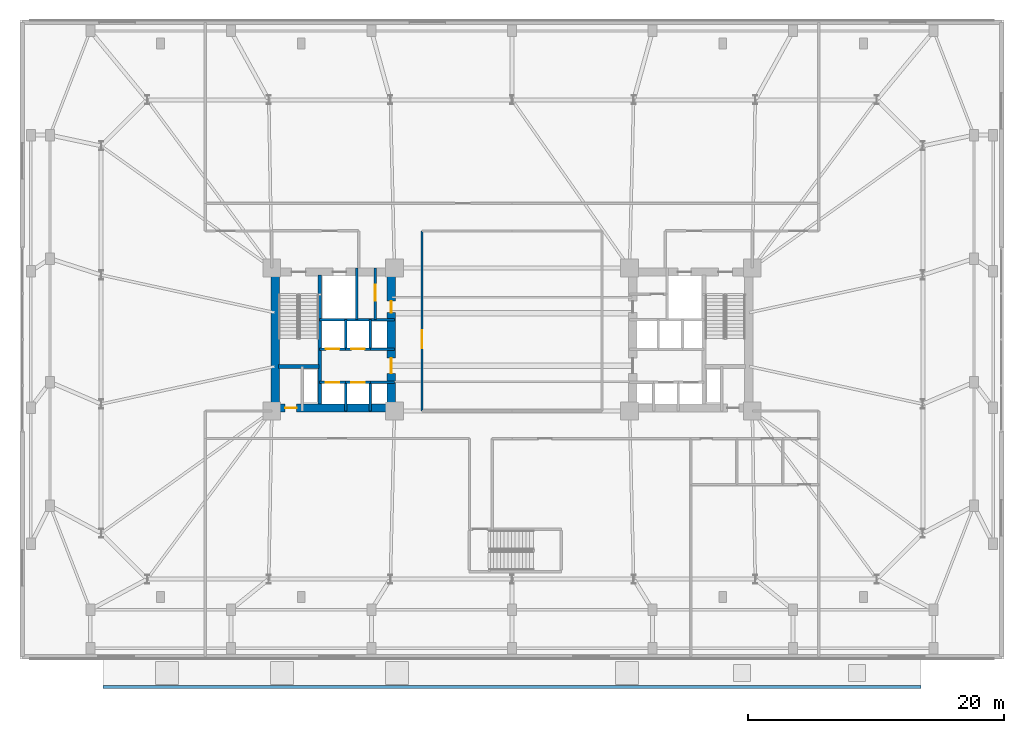
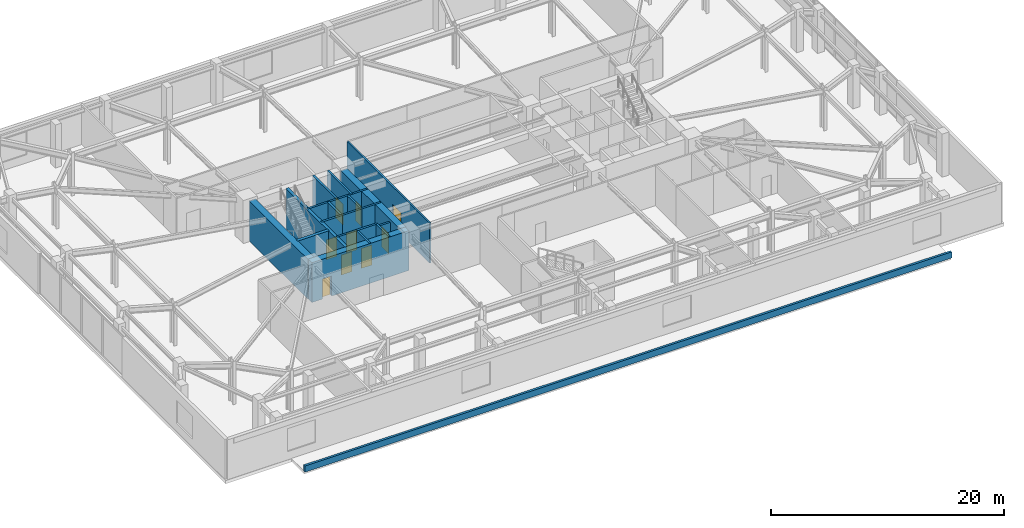
# One storey, part 14 of 21: 20 walls, 9 doors, 9 openings.
"""IFC4 building model written with IfcOpenShell, lengths in metres."""

from ifc_helpers import new_model, si_unit, direction, frame, frame_2d, origin, place, context, subcontext, project, spatial, rectangle, extrude, material, layer, layer_set, type_object, element, fill, save


model = new_model("IFC4")

# Units and contexts
model_context = context("Model", 3, precision=1e-05, world=origin(), true_north=direction((0.0, 1.0)))
body_context = subcontext(model_context, "Body", "Model", "MODEL_VIEW")
ifc_project = project(units=[si_unit("LENGTHUNIT", "METRE"), si_unit("AREAUNIT", "SQUARE_METRE"), si_unit("VOLUMEUNIT", "CUBIC_METRE"), si_unit("PLANEANGLEUNIT", "RADIAN"), si_unit("MASSUNIT", "GRAM", prefix="KILO")], contexts=[model_context])

# Site, building, storey
site_placement = place(None, origin())
site = spatial("IfcSite", under=ifc_project, at=site_placement, CompositionType="ELEMENT")
building_placement = place(site_placement, origin())
building = spatial("IfcBuilding", under=site, at=building_placement, Name="Qobustan Lattice House", CompositionType="ELEMENT")
storey_placement = place(building_placement, frame((0.0, 0.0, 4.5)))
storey = spatial("IfcBuildingStorey", under=building, at=storey_placement, Name="L01", CompositionType="ELEMENT", Elevation=4.5)

# Wall, opening, door
ifc_material_1 = material(Name="Concrete C60/75", Category="concrete")
ifc_layer_1 = layer(ifc_material_1, 0.639892578125)
ifc_layer_set_1 = layer_set([ifc_layer_1], Name="Concrete C60/75")
wall_type_1 = type_object("IfcWallType", Name="WAL-CORE-640", PredefinedType="SHEAR", material=ifc_layer_set_1)
wall_1_placement = place(storey_placement, frame((-18.800048828125, -5.35009765625, 0.0), z_axis=(0.0, 0.0, 1.0), x_axis=(1.0, 0.0, 0.0)))
wall_1 = element("IfcWall", 1, at=wall_1_placement, inside=storey, type_object=wall_type_1, Name="L01 split-core shear wall CW-S", PredefinedType="SHEAR", context=body_context, shape_type="SweptSolid", body=[
    extrude(rectangle(XDim=9.60009765625, YDim=0.639892578125, at=frame_2d((4.800048828125, 0.0))), origin(), (0.0, 0.0, 1.0), 4.169921875),
])
opening_1_placement = place(wall_1_placement, frame((1.050048828125, 0.0, 0.0)))
opening_1 = element("IfcOpeningElement", 2, at=opening_1_placement, cuts=wall_1, Name="Opening RD-01", PredefinedType="OPENING", context=body_context, shape_type="SweptSolid", body=[
    extrude(rectangle(XDim=0.89990234375, YDim=2.10009765625, at=frame_2d((0.449951171875, 1.050048828125))), frame((0.0, 0.329833984375, 0.0), z_axis=(0.0, -1.0, 0.0), x_axis=(1.0, 0.0, 0.0)), (0.0, 0.0, 1.0), 0.659912109375),
])
ifc_material_2 = material(Name="Persian walnut timber and steel frame door", Category="steel")
door_type_1 = type_object("IfcDoorType", Name="DOR-RISER-FD-900x2100", OperationType="NOTDEFINED", PredefinedType="DOOR", material=ifc_material_2)
door_1_placement = place(opening_1_placement, origin())
door_1 = element("IfcDoor", 3, at=door_1_placement, inside=storey, type_object=door_type_1, Name="L01 core service riser access door W", OperationType="SINGLE_SWING_LEFT", OverallHeight=2.10009765625, OverallWidth=0.89990234375, PredefinedType="DOOR", context=body_context, shape_type="SweptSolid", body=[
    extrude(rectangle(XDim=0.89990234375, YDim=2.10009765625, at=frame_2d((0.449951171875, 1.050048828125))), frame((0.0, 0.02490234375, 0.0), z_axis=(0.0, -1.0, 0.0), x_axis=(1.0, 0.0, 0.0)), (0.0, 0.0, 1.0), 0.050048828125),
])
fill(opening_1, door_1)

# Wall
wall_2_placement = place(storey_placement, frame((-18.530029296875, -5.050048828125, 0.0), z_axis=(0.0, 0.0, 1.0), x_axis=(0.0, 1.0, 0.0)))
element("IfcWall", 4, at=wall_2_placement, inside=storey, type_object=wall_type_1, Name="L01 split-core shear wall CW-W", PredefinedType="SHEAR", context=body_context, shape_type="SweptSolid", body=[
    extrude(rectangle(XDim=10.10009765625, YDim=0.639892578125, at=frame_2d((5.050048828125, 0.0))), origin(), (0.0, 0.0, 1.0), 4.169921875),
])

# Wall, openings, doors
wall_3_placement = place(storey_placement, frame((-9.449951171875, -5.050048828125, 0.0), z_axis=(0.0, 0.0, 1.0), x_axis=(0.0, 1.0, 0.0)))
wall_3 = element("IfcWall", 5, at=wall_3_placement, inside=storey, type_object=wall_type_1, Name="L01 split-core shear wall CW-E", PredefinedType="SHEAR", context=body_context, shape_type="SweptSolid", body=[
    extrude(rectangle(XDim=10.10009765625, YDim=0.639892578125, at=frame_2d((5.050048828125, 0.0))), origin(), (0.0, 0.0, 1.0), 4.169921875),
])
opening_2_placement = place(wall_3_placement, frame((7.14990234375, 0.0, 0.0)))
opening_2 = element("IfcOpeningElement", 6, at=opening_2_placement, cuts=wall_3, Name="Opening RD-01", PredefinedType="OPENING", context=body_context, shape_type="SweptSolid", body=[
    extrude(rectangle(XDim=0.89990234375, YDim=2.10009765625, at=frame_2d((0.449951171875, 1.050048828125))), frame((0.0, 0.329833984375, 0.0), z_axis=(0.0, -1.0, 0.0), x_axis=(1.0, 0.0, 0.0)), (0.0, 0.0, 1.0), 0.659912109375),
])
opening_3_placement = place(wall_3_placement, frame((2.39990234375, 0.0, 0.0)))
opening_3 = element("IfcOpeningElement", 7, at=opening_3_placement, cuts=wall_3, Name="Opening FD-01", PredefinedType="OPENING", context=body_context, shape_type="SweptSolid", body=[
    extrude(rectangle(XDim=1.199951171875, YDim=2.14990234375, at=frame_2d((0.60009765625, 1.074951171875))), frame((0.0, 0.329833984375, 0.0), z_axis=(0.0, -1.0, 0.0), x_axis=(1.0, 0.0, 0.0)), (0.0, 0.0, 1.0), 0.659912109375),
])
ifc_material_3 = material(Name="Persian walnut timber and steel frame door", Category="steel")
door_type_2 = type_object("IfcDoorType", Name="DOR-LOBBY-FD-1200x2150", OperationType="NOTDEFINED", PredefinedType="DOOR", material=ifc_material_3)
door_2_placement = place(opening_3_placement, origin())
door_2 = element("IfcDoor", 8, at=door_2_placement, inside=storey, type_object=door_type_2, Name="L01 West passenger lift lobby fire door", OperationType="SINGLE_SWING_LEFT", OverallHeight=2.14990234375, OverallWidth=1.199951171875, PredefinedType="DOOR", context=body_context, shape_type="SweptSolid", body=[
    extrude(rectangle(XDim=1.199951171875, YDim=2.14990234375, at=frame_2d((0.60009765625, 1.074951171875))), frame((0.0, 0.02490234375, 0.0), z_axis=(0.0, -1.0, 0.0), x_axis=(1.0, 0.0, 0.0)), (0.0, 0.0, 1.0), 0.050048828125),
])
fill(opening_3, door_2)
door_3_placement = place(opening_2_placement, origin())
door_3 = element("IfcDoor", 9, at=door_3_placement, inside=storey, type_object=door_type_1, Name="L01 Data comms closet fire door", OperationType="SINGLE_SWING_RIGHT", OverallHeight=2.10009765625, OverallWidth=0.89990234375, PredefinedType="DOOR", context=body_context, shape_type="SweptSolid", body=[
    extrude(rectangle(XDim=0.89990234375, YDim=2.10009765625, at=frame_2d((0.449951171875, 1.050048828125))), frame((0.0, 0.02490234375, 0.0), z_axis=(0.0, -1.0, 0.0), x_axis=(1.0, 0.0, 0.0)), (0.0, 0.0, 1.0), 0.050048828125),
])
fill(opening_2, door_3)

# Walls
ifc_material_4 = material(Name="Concrete C50/60", Category="concrete")
ifc_layer_2 = layer(ifc_material_4, 0.280029296875)
ifc_layer_set_2 = layer_set([ifc_layer_2], Name="Concrete C50/60")
wall_type_2 = type_object("IfcWallType", Name="WAL-CORE-SPINE-280", PredefinedType="SHEAR", material=ifc_layer_set_2)
wall_4_placement = place(storey_placement, frame((-15.050048828125, -5.050048828125, 0.0), z_axis=(0.0, 0.0, 1.0), x_axis=(0.0, 1.0, 0.0)))
element("IfcWall", 10, at=wall_4_placement, inside=storey, type_object=wall_type_2, Name="L01 split-core shear wall CW-M", PredefinedType="SHEAR", context=body_context, shape_type="SweptSolid", body=[
    extrude(rectangle(XDim=10.10009765625, YDim=0.300048828125, at=frame_2d((5.050048828125, 0.0))), origin(), (0.0, 0.0, 1.0), 4.169921875),
])
wall_5_placement = place(storey_placement, frame((-18.280029296875, -2.110107421875, 0.0), z_axis=(0.0, 0.0, 1.0), x_axis=(1.0, 0.0, 0.0)))
element("IfcWall", 11, at=wall_5_placement, inside=storey, type_object=wall_type_2, Name="L01 split-core shear wall CW-ST", PredefinedType="SHEAR", context=body_context, shape_type="SweptSolid", body=[
    extrude(rectangle(XDim=3.179931640625, YDim=0.300048828125, at=frame_2d((1.58984375, 0.0))), origin(), (0.0, 0.0, 1.0), 4.169921875),
])

# Wall, opening, door
ifc_material_5 = material(Name="Gypsum fireboard acoustic partition", Category="gypsum")
ifc_layer_3 = layer(ifc_material_5, 0.179931640625)
ifc_layer_set_3 = layer_set([ifc_layer_3], Name="Gypsum fireboard acoustic partition")
wall_type_3 = type_object("IfcWallType", Name="WAL-FIRE-180", PredefinedType="PARTITIONING", material=ifc_layer_set_3)
wall_6_placement = place(storey_placement, frame((-10.699951171875, 5.60009765625, 0.0), z_axis=(0.0, 0.0, 1.0), x_axis=(0.0, -1.0, 0.0)))
wall_6 = element("IfcWall", 12, at=wall_6_placement, inside=storey, type_object=wall_type_3, Name="L01 interior partition 6", PredefinedType="PARTITIONING", context=body_context, shape_type="SweptSolid", body=[
    extrude(rectangle(XDim=4.050048828125, YDim=0.179931640625, at=frame_2d((2.02490234375, 0.0))), origin(), (0.0, 0.0, 1.0), 4.169921875),
])
opening_4_placement = place(wall_6_placement, frame((1.324951171875, 0.0, 0.0)))
opening_4 = element("IfcOpeningElement", 13, at=opening_4_placement, cuts=wall_6, Name="Opening FD-03", PredefinedType="OPENING", context=body_context, shape_type="SweptSolid", body=[
    extrude(rectangle(XDim=1.25, YDim=2.199951171875, at=frame_2d((0.625, 1.10009765625))), frame((0.0, 0.099853515625, 0.0), z_axis=(0.0, -1.0, 0.0), x_axis=(1.0, 0.0, 0.0)), (0.0, 0.0, 1.0), 0.199951171875),
])
ifc_material_6 = material(Name="Persian walnut timber and steel frame door", Category="steel")
door_type_3 = type_object("IfcDoorType", Name="DOR-PLANT-1250x2200", OperationType="NOTDEFINED", PredefinedType="DOOR", material=ifc_material_6)
door_4_placement = place(opening_4_placement, origin())
door_4 = element("IfcDoor", 14, at=door_4_placement, inside=storey, type_object=door_type_3, Name="L01 Data comms closet to Linen store door", OperationType="SINGLE_SWING_LEFT", OverallHeight=2.199951171875, OverallWidth=1.25, PredefinedType="DOOR", context=body_context, shape_type="SweptSolid", body=[
    extrude(rectangle(XDim=1.25, YDim=2.199951171875, at=frame_2d((0.625, 1.10009765625))), frame((0.0, 0.02490234375, 0.0), z_axis=(0.0, -1.0, 0.0), x_axis=(1.0, 0.0, 0.0)), (0.0, 0.0, 1.0), 0.050048828125),
])
fill(opening_4, door_4)

# Wall
ifc_material_7 = material(Name="Precast concrete C40/50", Category="concrete")
ifc_layer_4 = layer(ifc_material_7, 0.219970703125)
ifc_layer_set_4 = layer_set([ifc_layer_4], Name="Precast concrete C40/50")
wall_type_4 = type_object("IfcWallType", Name="WAL-PARAPET-220", PredefinedType="PARAPET", material=ifc_layer_set_4)
wall_7_placement = place(storey_placement, frame((-32.0, -27.199951171875, 0.0), z_axis=(0.0, 0.0, 1.0), x_axis=(1.0, 0.0, 0.0)))
element("IfcWall", 15, at=wall_7_placement, inside=storey, type_object=wall_type_4, Name="L01 maintenance roof parapet 1", PredefinedType="PARAPET", context=body_context, shape_type="SweptSolid", body=[
    extrude(rectangle(XDim=64.0, YDim=0.219970703125, at=frame_2d((32.0, 0.0))), origin(), (0.0, 0.0, 1.0), 0.64990234375),
])

# Wall, opening, door
ifc_material_8 = material(Name="High-mass acoustic twin-stud partition", Category="gypsum")
ifc_layer_5 = layer(ifc_material_8, 0.1650390625)
ifc_layer_set_5 = layer_set([ifc_layer_5], Name="High-mass acoustic twin-stud partition")
wall_type_5 = type_object("IfcWallType", Name="WAL-PART-165", PredefinedType="PARTITIONING", material=ifc_layer_set_5)
wall_8_placement = place(storey_placement, frame((-7.050048828125, 8.5, 0.0), z_axis=(0.0, 0.0, 1.0), x_axis=(0.0, -1.0, 0.0)))
wall_8 = element("IfcWall", 16, at=wall_8_placement, inside=storey, type_object=wall_type_5, Name="L01 interior partition 58", PredefinedType="PARTITIONING", context=body_context, shape_type="SweptSolid", body=[
    extrude(rectangle(XDim=14.10009765625, YDim=0.1650390625, at=frame_2d((7.050048828125, 0.0))), origin(), (0.0, 0.0, 1.0), 4.169921875),
])
opening_5_placement = place(wall_8_placement, frame((7.79248046875, 0.0, 0.0)))
opening_5 = element("IfcOpeningElement", 17, at=opening_5_placement, cuts=wall_8, Name="Opening ID-04", PredefinedType="OPENING", context=body_context, shape_type="SweptSolid", body=[
    extrude(rectangle(XDim=1.39990234375, YDim=2.300048828125, at=frame_2d((0.699951171875, 1.14990234375))), frame((0.0, 0.092529296875, 0.0), z_axis=(0.0, -1.0, 0.0), x_axis=(1.0, 0.0, 0.0)), (0.0, 0.0, 1.0), 0.18505859375),
])
ifc_material_9 = material(Name="Persian walnut timber and steel frame door", Category="steel")
door_type_4 = type_object("IfcDoorType", Name="DOR-POD-1400x2300", OperationType="NOTDEFINED", PredefinedType="DOOR", material=ifc_material_9)
door_5_placement = place(opening_5_placement, origin())
door_5 = element("IfcDoor", 18, at=door_5_placement, inside=storey, type_object=door_type_4, Name="L01 West podium link corridor to Academic advising lounge door", OperationType="SINGLE_SWING_RIGHT", OverallHeight=2.300048828125, OverallWidth=1.39990234375, PredefinedType="DOOR", context=body_context, shape_type="SweptSolid", body=[
    extrude(rectangle(XDim=1.39990234375, YDim=2.300048828125, at=frame_2d((0.699951171875, 1.14990234375))), frame((0.0, 0.02490234375, 0.0), z_axis=(0.0, -1.0, 0.0), x_axis=(1.0, 0.0, 0.0)), (0.0, 0.0, 1.0), 0.050048828125),
])
fill(opening_5, door_5)

# Wall
ifc_material_10 = material(Name="Concrete C40/50", Category="concrete")
ifc_layer_6 = layer(ifc_material_10, 0.199951171875)
ifc_layer_set_6 = layer_set([ifc_layer_6], Name="Concrete C40/50")
wall_type_6 = type_object("IfcWallType", Name="WAL-SHAFT-200", PredefinedType="PARTITIONING", material=ifc_layer_set_6)
wall_9_placement = place(storey_placement, frame((-12.14990234375, 1.550048828125, 0.0), z_axis=(0.0, 0.0, 1.0), x_axis=(0.0, 1.0, 0.0)))
element("IfcWall", 19, at=wall_9_placement, inside=storey, type_object=wall_type_6, Name="L01 interior partition 2", PredefinedType="PARTITIONING", context=body_context, shape_type="SweptSolid", body=[
    extrude(rectangle(XDim=4.050048828125, YDim=0.199951171875, at=frame_2d((2.02490234375, 0.0))), origin(), (0.0, 0.0, 1.0), 4.169921875),
])

# Wall, opening, door
wall_10_placement = place(storey_placement, frame((-15.050048828125, -3.35009765625, 0.0), z_axis=(0.0, 0.0, 1.0), x_axis=(1.0, 0.0, 0.0)))
wall_10 = element("IfcWall", 20, at=wall_10_placement, inside=storey, type_object=wall_type_6, Name="L01 interior partition 8", PredefinedType="PARTITIONING", context=body_context, shape_type="SweptSolid", body=[
    extrude(rectangle(XDim=2.030029296875, YDim=0.199951171875, at=frame_2d((1.01513671875, 0.0))), origin(), (0.0, 0.0, 1.0), 4.169921875),
])
opening_6_placement = place(wall_10_placement, frame((0.489990234375, 0.0, 0.0)))
opening_6 = element("IfcOpeningElement", 21, at=opening_6_placement, cuts=wall_10, Name="Opening LD-01", PredefinedType="OPENING", context=body_context, shape_type="SweptSolid", body=[
    extrude(rectangle(XDim=1.050048828125, YDim=2.10009765625, at=frame_2d((0.52490234375, 1.050048828125))), frame((0.0, 0.10986328125, 0.0), z_axis=(0.0, -1.0, 0.0), x_axis=(1.0, 0.0, 0.0)), (0.0, 0.0, 1.0), 0.219970703125),
])
ifc_material_11 = material(Name="Persian walnut timber and steel frame door", Category="steel")
door_type_5 = type_object("IfcDoorType", Name="DOR-LIFT-LD-1050x2100", OperationType="NOTDEFINED", PredefinedType="DOOR", material=ifc_material_11)
door_6_placement = place(opening_6_placement, origin())
door_6 = element("IfcDoor", 22, at=door_6_placement, inside=storey, type_object=door_type_5, Name="L01 lift landing door", OperationType="DOUBLE_DOOR_SLIDING", OverallHeight=2.10009765625, OverallWidth=1.050048828125, PredefinedType="DOOR", context=body_context, shape_type="SweptSolid", body=[
    extrude(rectangle(XDim=1.050048828125, YDim=2.10009765625, at=frame_2d((0.52490234375, 1.050048828125))), frame((0.0, 0.02490234375, 0.0), z_axis=(0.0, -1.0, 0.0), x_axis=(1.0, 0.0, 0.0)), (0.0, 0.0, 1.0), 0.050048828125),
])
fill(opening_6, door_6)

wall_11_placement = place(storey_placement, frame((-13.02001953125, -3.35009765625, 0.0), z_axis=(0.0, 0.0, 1.0), x_axis=(1.0, 0.0, 0.0)))
wall_11 = element("IfcWall", 23, at=wall_11_placement, inside=storey, type_object=wall_type_6, Name="L01 interior partition 9", PredefinedType="PARTITIONING", context=body_context, shape_type="SweptSolid", body=[
    extrude(rectangle(XDim=1.93994140625, YDim=0.199951171875, at=frame_2d((0.969970703125, 0.0))), origin(), (0.0, 0.0, 1.0), 4.169921875),
])
opening_7_placement = place(wall_11_placement, frame((0.445068359375, 0.0, 0.0)))
opening_7 = element("IfcOpeningElement", 24, at=opening_7_placement, cuts=wall_11, Name="Opening LD-01", PredefinedType="OPENING", context=body_context, shape_type="SweptSolid", body=[
    extrude(rectangle(XDim=1.050048828125, YDim=2.10009765625, at=frame_2d((0.52490234375, 1.050048828125))), frame((0.0, 0.10986328125, 0.0), z_axis=(0.0, -1.0, 0.0), x_axis=(1.0, 0.0, 0.0)), (0.0, 0.0, 1.0), 0.219970703125),
])
door_7_placement = place(opening_7_placement, origin())
door_7 = element("IfcDoor", 25, at=door_7_placement, inside=storey, type_object=door_type_5, Name="L01 lift landing door", OperationType="DOUBLE_DOOR_SLIDING", OverallHeight=2.10009765625, OverallWidth=1.050048828125, PredefinedType="DOOR", context=body_context, shape_type="SweptSolid", body=[
    extrude(rectangle(XDim=1.050048828125, YDim=2.10009765625, at=frame_2d((0.52490234375, 1.050048828125))), frame((0.0, 0.02490234375, 0.0), z_axis=(0.0, -1.0, 0.0), x_axis=(1.0, 0.0, 0.0)), (0.0, 0.0, 1.0), 0.050048828125),
])
fill(opening_7, door_7)

# Wall
wall_12_placement = place(storey_placement, frame((-11.080078125, -3.35009765625, 0.0), z_axis=(0.0, 0.0, 1.0), x_axis=(1.0, 0.0, 0.0)))
element("IfcWall", 26, at=wall_12_placement, inside=storey, type_object=wall_type_6, Name="L01 interior partition 10", PredefinedType="PARTITIONING", context=body_context, shape_type="SweptSolid", body=[
    extrude(rectangle(XDim=1.880126953125, YDim=0.199951171875, at=frame_2d((0.93994140625, 0.0))), origin(), (0.0, 0.0, 1.0), 3.885009765625),
])

# Wall, opening, door
wall_13_placement = place(storey_placement, frame((-13.02001953125, -0.75, 0.0), z_axis=(0.0, 0.0, 1.0), x_axis=(-1.0, 0.0, 0.0)))
wall_13 = element("IfcWall", 27, at=wall_13_placement, inside=storey, type_object=wall_type_6, Name="L01 interior partition 11", PredefinedType="PARTITIONING", context=body_context, shape_type="SweptSolid", body=[
    extrude(rectangle(XDim=2.030029296875, YDim=0.199951171875, at=frame_2d((1.01513671875, 0.0))), origin(), (0.0, 0.0, 1.0), 4.169921875),
])
opening_8_placement = place(wall_13_placement, frame((0.489990234375, 0.0, 0.0)))
opening_8 = element("IfcOpeningElement", 28, at=opening_8_placement, cuts=wall_13, Name="Opening LD-01", PredefinedType="OPENING", context=body_context, shape_type="SweptSolid", body=[
    extrude(rectangle(XDim=1.050048828125, YDim=2.10009765625, at=frame_2d((0.52490234375, 1.050048828125))), frame((0.0, 0.10986328125, 0.0), z_axis=(0.0, -1.0, 0.0), x_axis=(1.0, 0.0, 0.0)), (0.0, 0.0, 1.0), 0.219970703125),
])
door_8_placement = place(opening_8_placement, origin())
door_8 = element("IfcDoor", 29, at=door_8_placement, inside=storey, type_object=door_type_5, Name="L01 lift landing door", OperationType="DOUBLE_DOOR_SLIDING", OverallHeight=2.10009765625, OverallWidth=1.050048828125, PredefinedType="DOOR", context=body_context, shape_type="SweptSolid", body=[
    extrude(rectangle(XDim=1.050048828125, YDim=2.10009765625, at=frame_2d((0.52490234375, 1.050048828125))), frame((0.0, 0.02490234375, 0.0), z_axis=(0.0, -1.0, 0.0), x_axis=(1.0, 0.0, 0.0)), (0.0, 0.0, 1.0), 0.050048828125),
])
fill(opening_8, door_8)

wall_14_placement = place(storey_placement, frame((-11.080078125, -0.75, 0.0), z_axis=(0.0, 0.0, 1.0), x_axis=(-1.0, 0.0, 0.0)))
wall_14 = element("IfcWall", 30, at=wall_14_placement, inside=storey, type_object=wall_type_6, Name="L01 interior partition 12", PredefinedType="PARTITIONING", context=body_context, shape_type="SweptSolid", body=[
    extrude(rectangle(XDim=1.93994140625, YDim=0.199951171875, at=frame_2d((0.969970703125, 0.0))), origin(), (0.0, 0.0, 1.0), 4.169921875),
])
opening_9_placement = place(wall_14_placement, frame((0.445068359375, 0.0, 0.0)))
opening_9 = element("IfcOpeningElement", 31, at=opening_9_placement, cuts=wall_14, Name="Opening LD-01", PredefinedType="OPENING", context=body_context, shape_type="SweptSolid", body=[
    extrude(rectangle(XDim=1.050048828125, YDim=2.10009765625, at=frame_2d((0.52490234375, 1.050048828125))), frame((0.0, 0.10986328125, 0.0), z_axis=(0.0, -1.0, 0.0), x_axis=(1.0, 0.0, 0.0)), (0.0, 0.0, 1.0), 0.219970703125),
])
door_9_placement = place(opening_9_placement, origin())
door_9 = element("IfcDoor", 32, at=door_9_placement, inside=storey, type_object=door_type_5, Name="L01 lift landing door", OperationType="DOUBLE_DOOR_SLIDING", OverallHeight=2.10009765625, OverallWidth=1.050048828125, PredefinedType="DOOR", context=body_context, shape_type="SweptSolid", body=[
    extrude(rectangle(XDim=1.050048828125, YDim=2.10009765625, at=frame_2d((0.52490234375, 1.050048828125))), frame((0.0, 0.02490234375, 0.0), z_axis=(0.0, -1.0, 0.0), x_axis=(1.0, 0.0, 0.0)), (0.0, 0.0, 1.0), 0.050048828125),
])
fill(opening_9, door_9)

# Walls
wall_15_placement = place(storey_placement, frame((-9.199951171875, -0.75, 0.0), z_axis=(0.0, 0.0, 1.0), x_axis=(-1.0, 0.0, 0.0)))
element("IfcWall", 33, at=wall_15_placement, inside=storey, type_object=wall_type_6, Name="L01 interior partition 13", PredefinedType="PARTITIONING", context=body_context, shape_type="SweptSolid", body=[
    extrude(rectangle(XDim=1.880126953125, YDim=0.199951171875, at=frame_2d((0.93994140625, 0.0))), origin(), (0.0, 0.0, 1.0), 4.169921875),
])
for number, where, z_axis, x_axis, name in (
    (34, (-13.02001953125, -5.60009765625, 0.0), (0.0, 0.0, 1.0), (0.0, 1.0, 0.0), "L01 interior partition 15"),
    (35, (-11.080078125, -5.60009765625, 0.0), (0.0, 0.0, 1.0), (0.0, 1.0, 0.0), "L01 interior partition 16"),
):
    element("IfcWall", number, at=place(storey_placement, frame(where, z_axis=z_axis, x_axis=x_axis)), inside=storey, type_object=wall_type_6, Name=name, PredefinedType="PARTITIONING", context=body_context, shape_type="SweptSolid", body=[
        extrude(rectangle(XDim=2.25, YDim=0.199951171875, at=frame_2d((1.125, 0.0))), origin(), (0.0, 0.0, 1.0), 4.169921875),
    ])
for number, where, z_axis, x_axis, name in (
    (36, (-13.02001953125, -0.75, 0.0), (0.0, 0.0, 1.0), (0.0, 1.0, 0.0), "L01 interior partition 17"),
    (37, (-11.080078125, -0.75, 0.0), (0.0, 0.0, 1.0), (0.0, 1.0, 0.0), "L01 interior partition 18"),
):
    element("IfcWall", number, at=place(storey_placement, frame(where, z_axis=z_axis, x_axis=x_axis)), inside=storey, type_object=wall_type_6, Name=name, PredefinedType="PARTITIONING", context=body_context, shape_type="SweptSolid", body=[
        extrude(rectangle(XDim=2.300048828125, YDim=0.199951171875, at=frame_2d((1.14990234375, 0.0))), origin(), (0.0, 0.0, 1.0), 4.169921875),
    ])
wall_16_placement = place(storey_placement, frame((-15.050048828125, 1.550048828125, 0.0), z_axis=(0.0, 0.0, 1.0), x_axis=(1.0, 0.0, 0.0)))
element("IfcWall", 38, at=wall_16_placement, inside=storey, type_object=wall_type_6, Name="L01 interior partition 74", PredefinedType="PARTITIONING", context=body_context, shape_type="SweptSolid", body=[
    extrude(rectangle(XDim=5.85009765625, YDim=0.199951171875, at=frame_2d((2.925048828125, 0.0))), origin(), (0.0, 0.0, 1.0), 4.169921875),
])

save(model, "model.ifc")
